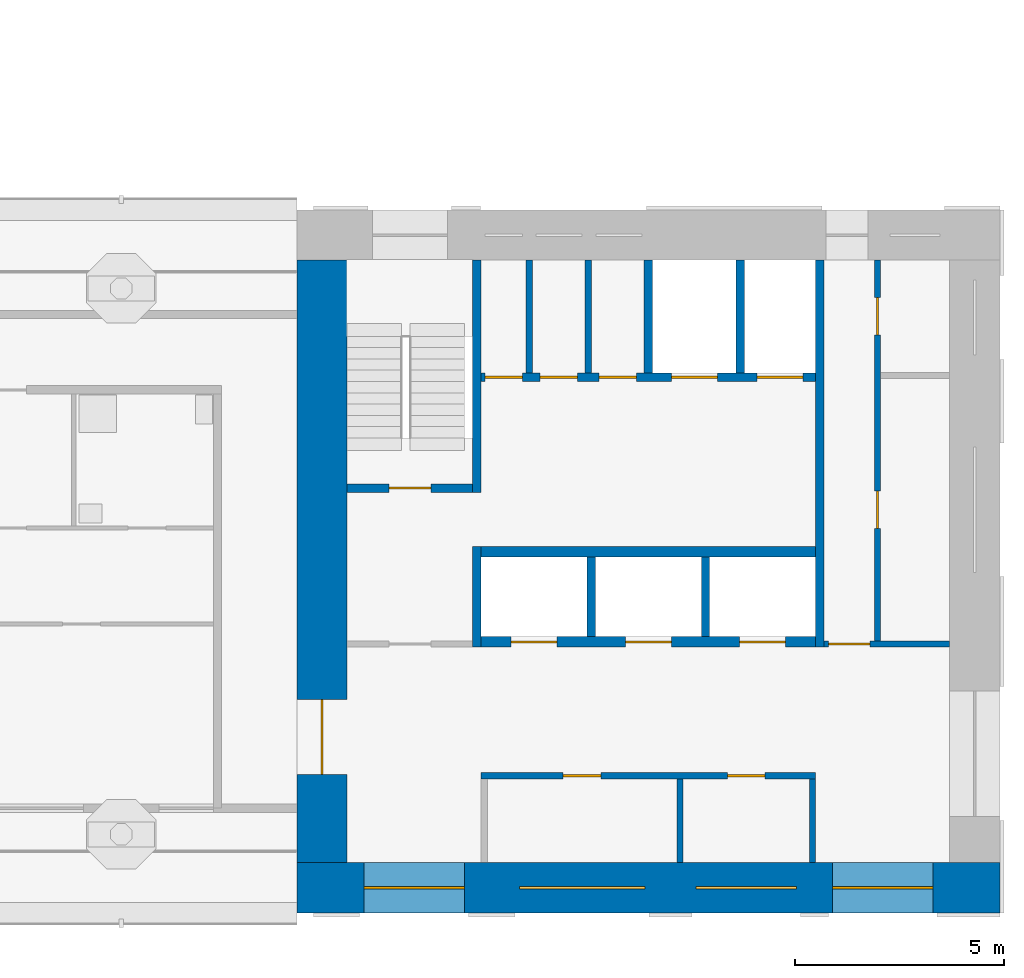
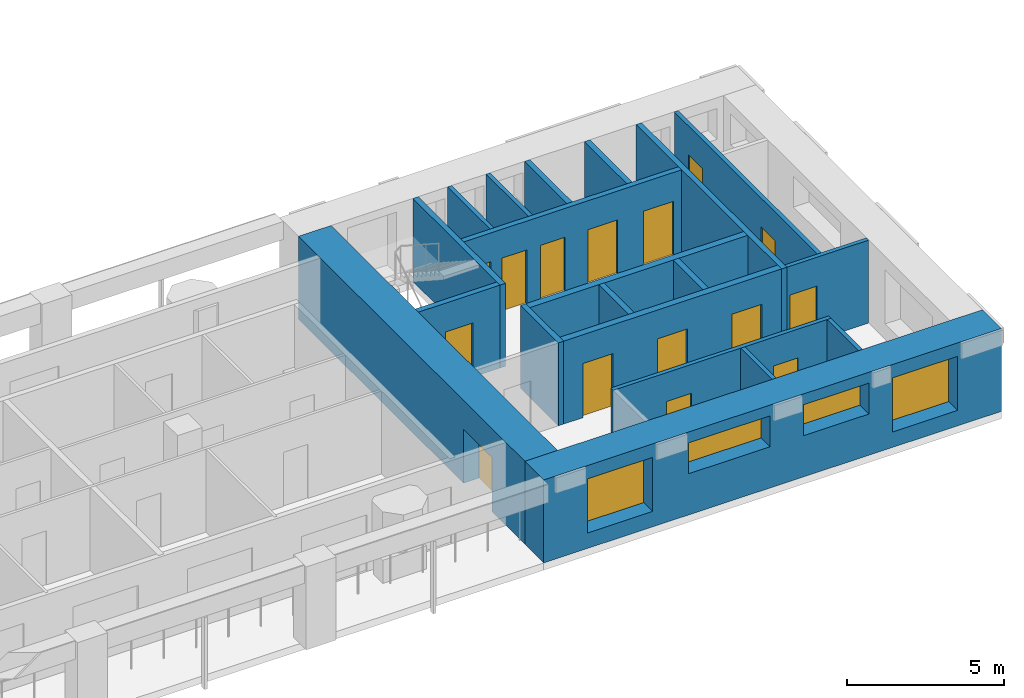
# One storey, part 4 of 12: 20 walls, 15 doors, 4 windows, 19 openings.
"""IFC4 building model written with IfcOpenShell, lengths in metres."""

from ifc_helpers import new_model, si_unit, direction, frame, frame_2d, origin, place, context, subcontext, project, spatial, rectangle, extrude, material, layer, layer_set, type_object, element, fill, save


model = new_model("IFC4")

# Units and contexts
model_context = context("Model", 3, precision=1e-05, world=origin(), true_north=direction((0.0, 1.0)))
body_context = subcontext(model_context, "Body", "Model", "MODEL_VIEW")
ifc_project = project(units=[si_unit("LENGTHUNIT", "METRE"), si_unit("AREAUNIT", "SQUARE_METRE"), si_unit("VOLUMEUNIT", "CUBIC_METRE"), si_unit("PLANEANGLEUNIT", "RADIAN"), si_unit("MASSUNIT", "GRAM", prefix="KILO")], contexts=[model_context])

# Site, building, storey
site_placement = place(None, origin())
site = spatial("IfcSite", under=ifc_project, at=site_placement, CompositionType="ELEMENT")
building_placement = place(site_placement, origin())
building = spatial("IfcBuilding", under=site, at=building_placement, Name="Vermilion Gate Residences", CompositionType="ELEMENT")
storey_placement = place(building_placement, frame((0.0, 0.0, 214.199951171875)))
storey = spatial("IfcBuildingStorey", under=building, at=storey_placement, Name="L55", CompositionType="ELEMENT", Elevation=214.199951171875)

# Walls
ifc_material_1 = material(Name="Masonry blockwork", Category="masonry")
ifc_layer_1 = layer(ifc_material_1, 0.14990234375)
ifc_layer_set_1 = layer_set([ifc_layer_1], Name="BLOCKWORK PARTITION 150 EI 120")
wall_type_1 = type_object("IfcWallType", Name="BLOCKWORK PARTITION 150 EI 120", PredefinedType="PARTITIONING", material=ifc_layer_set_1)
for number, where, z_axis, x_axis, name in (
    (1, (54.324951171875, 9.60009765625, 0.0), (0.0, 0.0, 1.0), (0.0, 1.0, 0.0), "Core room partition A55-RW-E"),
    (2, (51.155029296875, 9.60009765625, 0.0), (0.0, 0.0, 1.0), (0.0, 1.0, 0.0), "Core room partition A55-SR-P0"),
):
    element("IfcWall", number, at=place(storey_placement, frame(where, z_axis=z_axis, x_axis=x_axis)), inside=storey, type_object=wall_type_1, Name=name, PredefinedType="PARTITIONING", context=body_context, shape_type="SweptSolid", body=[
        extrude(rectangle(XDim=2.0, YDim=0.14990234375, at=frame_2d((1.0, 0.0))), origin(), (0.0, 0.0, 1.0), 3.219970703125),
    ])

# Wall, openings, doors
wall_1_placement = place(storey_placement, frame((46.39990234375, 11.675048828125, 0.0), z_axis=(0.0, 0.0, 1.0), x_axis=(1.0, 0.0, 0.0)))
wall_1 = element("IfcWall", 3, at=wall_1_placement, inside=storey, type_object=wall_type_1, Name="Core room partition A55-LR-F", PredefinedType="PARTITIONING", context=body_context, shape_type="SweptSolid", body=[
    extrude(rectangle(XDim=8.0, YDim=0.14990234375, at=frame_2d((4.0, 0.0))), origin(), (0.0, 0.0, 1.0), 3.219970703125),
])
opening_1_placement = place(wall_1_placement, frame((1.965087890625, 0.0, 0.0)))
opening_1 = element("IfcOpeningElement", 4, at=opening_1_placement, cuts=wall_1, Name="Opening DK55002", PredefinedType="OPENING", context=body_context, shape_type="SweptSolid", body=[
    extrude(rectangle(XDim=0.89990234375, YDim=2.10009765625, at=frame_2d((0.449951171875, 1.050048828125))), frame((0.0, 0.0849609375, 0.0), z_axis=(0.0, -1.0, 0.0), x_axis=(1.0, 0.0, 0.0)), (0.0, 0.0, 1.0), 0.169921875),
])
opening_2_placement = place(wall_1_placement, frame((5.889892578125, 0.0, 0.0)))
opening_2 = element("IfcOpeningElement", 5, at=opening_2_placement, cuts=wall_1, Name="Opening DK55003", PredefinedType="OPENING", context=body_context, shape_type="SweptSolid", body=[
    extrude(rectangle(XDim=0.89990234375, YDim=2.10009765625, at=frame_2d((0.449951171875, 1.050048828125))), frame((0.0, 0.0849609375, 0.0), z_axis=(0.0, -1.0, 0.0), x_axis=(1.0, 0.0, 0.0)), (0.0, 0.0, 1.0), 0.169921875),
])
ifc_material_2 = material(Name="Steel", Category="steel")
door_type_1 = type_object("IfcDoorType", Name="SERVICE ROOM DOOR FD60 900 X 2100", OperationType="SINGLE_SWING_LEFT", PredefinedType="DOOR", material=ifc_material_2)
door_1_placement = place(opening_1_placement, frame((0.89990234375, 0.0, 0.0), z_axis=(0.0, 0.0, 1.0), x_axis=(-1.0, 0.0, 0.0)))
door_1 = element("IfcDoor", 6, at=door_1_placement, inside=storey, type_object=door_type_1, Name="Housekeeping store A55", OperationType="SINGLE_SWING_RIGHT", OverallHeight=2.10009765625, OverallWidth=0.89990234375, PredefinedType="DOOR", context=body_context, shape_type="SweptSolid", body=[
    extrude(rectangle(XDim=0.89990234375, YDim=2.10009765625, at=frame_2d((0.449951171875, 1.050048828125))), frame((0.0, 0.02490234375, 0.0), z_axis=(0.0, -1.0, 0.0), x_axis=(1.0, 0.0, 0.0)), (0.0, 0.0, 1.0), 0.050048828125),
])
fill(opening_1, door_1)
door_2_placement = place(opening_2_placement, frame((0.89990234375, 0.0, 0.0), z_axis=(0.0, 0.0, 1.0), x_axis=(-1.0, 0.0, 0.0)))
door_2 = element("IfcDoor", 7, at=door_2_placement, inside=storey, type_object=door_type_1, Name="Fire equipment store A55", OperationType="SINGLE_SWING_RIGHT", OverallHeight=2.10009765625, OverallWidth=0.89990234375, PredefinedType="DOOR", context=body_context, shape_type="SweptSolid", body=[
    extrude(rectangle(XDim=0.89990234375, YDim=2.10009765625, at=frame_2d((0.449951171875, 1.050048828125))), frame((0.0, 0.02490234375, 0.0), z_axis=(0.0, -1.0, 0.0), x_axis=(1.0, 0.0, 0.0)), (0.0, 0.0, 1.0), 0.050048828125),
])
fill(opening_2, door_2)

# Walls
for number, where, z_axis, x_axis, name in (
    (8, (47.554931640625, 21.300048828125, 0.0), (0.0, 0.0, 1.0), (0.0, 1.0, 0.0), "Core room partition A55-NR-P0"),
    (9, (48.965087890625, 21.300048828125, 0.0), (0.0, 0.0, 1.0), (0.0, 1.0, 0.0), "Core room partition A55-NR-P1"),
):
    element("IfcWall", number, at=place(storey_placement, frame(where, z_axis=z_axis, x_axis=x_axis)), inside=storey, type_object=wall_type_1, Name=name, PredefinedType="PARTITIONING", context=body_context, shape_type="SweptSolid", body=[
        extrude(rectangle(XDim=2.699951171875, YDim=0.14990234375, at=frame_2d((1.35009765625, 0.0))), origin(), (0.0, 0.0, 1.0), 3.219970703125),
    ])

# Wall, opening, door
wall_2_placement = place(storey_placement, frame((54.60009765625, 14.824951171875, 0.0), z_axis=(0.0, 0.0, 1.0), x_axis=(1.0, 0.0, 0.0)))
wall_2 = element("IfcWall", 10, at=wall_2_placement, inside=storey, type_object=wall_type_1, Name="Core room partition A55-ES-S", PredefinedType="PARTITIONING", context=body_context, shape_type="SweptSolid", body=[
    extrude(rectangle(XDim=3.0, YDim=0.14990234375, at=frame_2d((1.5, 0.0))), origin(), (0.0, 0.0, 1.0), 3.219970703125),
])
opening_3_placement = place(wall_2_placement, frame((0.10009765625, 0.0, 0.0)))
opening_3 = element("IfcOpeningElement", 11, at=opening_3_placement, cuts=wall_2, Name="Opening DK55014", PredefinedType="OPENING", context=body_context, shape_type="SweptSolid", body=[
    extrude(rectangle(XDim=1.0, YDim=2.10009765625, at=frame_2d((0.5, 1.050048828125))), frame((0.0, 0.0849609375, 0.0), z_axis=(0.0, -1.0, 0.0), x_axis=(1.0, 0.0, 0.0)), (0.0, 0.0, 1.0), 0.169921875),
])
ifc_material_3 = material(Name="Steel", Category="steel")
door_type_2 = type_object("IfcDoorType", Name="FIRE DOOR FD60 1000 X 2100", OperationType="SINGLE_SWING_LEFT", PredefinedType="DOOR", material=ifc_material_3)
door_3_placement = place(opening_3_placement, frame((1.0, 0.0, 0.0), z_axis=(0.0, 0.0, 1.0), x_axis=(-1.0, 0.0, 0.0)))
door_3 = element("IfcDoor", 12, at=door_3_placement, inside=storey, type_object=door_type_2, Name="Service corridor door A55", OperationType="SINGLE_SWING_LEFT", OverallHeight=2.10009765625, OverallWidth=1.0, PredefinedType="DOOR", context=body_context, shape_type="SweptSolid", body=[
    extrude(rectangle(XDim=1.0, YDim=2.10009765625, at=frame_2d((0.5, 1.050048828125))), frame((0.0, 0.02490234375, 0.0), z_axis=(0.0, -1.0, 0.0), x_axis=(1.0, 0.0, 0.0)), (0.0, 0.0, 1.0), 0.050048828125),
])
fill(opening_3, door_3)

# Wall, openings, doors
wall_3_placement = place(storey_placement, frame((55.875, 14.89990234375, 0.0), z_axis=(0.0, 0.0, 1.0), x_axis=(0.0, 1.0, 0.0)))
wall_3 = element("IfcWall", 13, at=wall_3_placement, inside=storey, type_object=wall_type_1, Name="Core room partition A55-ES-W", PredefinedType="PARTITIONING", context=body_context, shape_type="SweptSolid", body=[
    extrude(rectangle(XDim=9.10009765625, YDim=0.14990234375, at=frame_2d((4.550048828125, 0.0))), origin(), (0.0, 0.0, 1.0), 3.219970703125),
])
opening_4_placement = place(wall_3_placement, frame((2.6826171875, 0.0, 0.0)))
opening_4 = element("IfcOpeningElement", 14, at=opening_4_placement, cuts=wall_3, Name="Opening DK55015", PredefinedType="OPENING", context=body_context, shape_type="SweptSolid", body=[
    extrude(rectangle(XDim=0.89990234375, YDim=2.10009765625, at=frame_2d((0.449951171875, 1.050048828125))), frame((0.0, 0.0849609375, 0.0), z_axis=(0.0, -1.0, 0.0), x_axis=(1.0, 0.0, 0.0)), (0.0, 0.0, 1.0), 0.169921875),
])
opening_5_placement = place(wall_3_placement, frame((7.3076171875, 0.0, 0.0)))
opening_5 = element("IfcOpeningElement", 15, at=opening_5_placement, cuts=wall_3, Name="Opening DK55016", PredefinedType="OPENING", context=body_context, shape_type="SweptSolid", body=[
    extrude(rectangle(XDim=0.89990234375, YDim=2.10009765625, at=frame_2d((0.449951171875, 1.050048828125))), frame((0.0, 0.0849609375, 0.0), z_axis=(0.0, -1.0, 0.0), x_axis=(1.0, 0.0, 0.0)), (0.0, 0.0, 1.0), 0.169921875),
])
door_4_placement = place(opening_4_placement, frame((0.89990234375, 0.0, 0.0), z_axis=(0.0, 0.0, 1.0), x_axis=(-1.0, 0.0, 0.0)))
door_4 = element("IfcDoor", 16, at=door_4_placement, inside=storey, type_object=door_type_1, Name="Electrical room A55", OperationType="SINGLE_SWING_LEFT", OverallHeight=2.10009765625, OverallWidth=0.89990234375, PredefinedType="DOOR", context=body_context, shape_type="SweptSolid", body=[
    extrude(rectangle(XDim=0.89990234375, YDim=2.10009765625, at=frame_2d((0.449951171875, 1.050048828125))), frame((0.0, 0.02490234375, 0.0), z_axis=(0.0, -1.0, 0.0), x_axis=(1.0, 0.0, 0.0)), (0.0, 0.0, 1.0), 0.050048828125),
])
fill(opening_4, door_4)
door_5_placement = place(opening_5_placement, frame((0.89990234375, 0.0, 0.0), z_axis=(0.0, 0.0, 1.0), x_axis=(-1.0, 0.0, 0.0)))
door_5 = element("IfcDoor", 17, at=door_5_placement, inside=storey, type_object=door_type_1, Name="Storage room A55", OperationType="SINGLE_SWING_LEFT", OverallHeight=2.10009765625, OverallWidth=0.89990234375, PredefinedType="DOOR", context=body_context, shape_type="SweptSolid", body=[
    extrude(rectangle(XDim=0.89990234375, YDim=2.10009765625, at=frame_2d((0.449951171875, 1.050048828125))), frame((0.0, 0.02490234375, 0.0), z_axis=(0.0, -1.0, 0.0), x_axis=(1.0, 0.0, 0.0)), (0.0, 0.0, 1.0), 0.050048828125),
])
fill(opening_5, door_5)

# Walls
ifc_material_4 = material(Name="Concrete C60", Category="concrete")
ifc_layer_2 = layer(ifc_material_4, 0.199951171875)
ifc_layer_set_2 = layer_set([ifc_layer_2], Name="RC CORE INTERNAL WALL 200 C60")
wall_type_2 = type_object("IfcWallType", Name="RC CORE INTERNAL WALL 200 C60", PredefinedType="SHEAR", material=ifc_layer_set_2)
for number, where, z_axis, x_axis, name in (
    (18, (49.033447265625, 15.0, 0.0), (0.0, 0.0, 1.0), (0.0, 1.0, 0.0), "Core internal wall A55-HR-D1"),
    (19, (51.7666015625, 15.0, 0.0), (0.0, 0.0, 1.0), (0.0, 1.0, 0.0), "Core internal wall A55-HR-D2"),
):
    element("IfcWall", number, at=place(storey_placement, frame(where, z_axis=z_axis, x_axis=x_axis)), inside=storey, type_object=wall_type_2, Name=name, PredefinedType="SHEAR", context=body_context, shape_type="SweptSolid", body=[
        extrude(rectangle(XDim=1.89990234375, YDim=0.199951171875, at=frame_2d((0.949951171875, 0.0))), origin(), (0.0, 0.0, 1.0), 3.219970703125),
    ])
for number, where, z_axis, x_axis, name in (
    (20, (50.39990234375, 21.300048828125, 0.0), (0.0, 0.0, 1.0), (0.0, 1.0, 0.0), "Core internal wall A55-FF-D0"),
    (21, (52.60009765625, 21.300048828125, 0.0), (0.0, 0.0, 1.0), (0.0, 1.0, 0.0), "Core internal wall A55-FF-D1"),
):
    element("IfcWall", number, at=place(storey_placement, frame(where, z_axis=z_axis, x_axis=x_axis)), inside=storey, type_object=wall_type_2, Name=name, PredefinedType="SHEAR", context=body_context, shape_type="SweptSolid", body=[
        extrude(rectangle(XDim=2.699951171875, YDim=0.199951171875, at=frame_2d((1.35009765625, 0.0))), origin(), (0.0, 0.0, 1.0), 3.219970703125),
    ])

# Wall, openings, doors
wall_4_placement = place(storey_placement, frame((46.39990234375, 21.199951171875, 0.0), z_axis=(0.0, 0.0, 1.0), x_axis=(1.0, 0.0, 0.0)))
wall_4 = element("IfcWall", 22, at=wall_4_placement, inside=storey, type_object=wall_type_2, Name="Core internal wall A55-FF-F", PredefinedType="SHEAR", context=body_context, shape_type="SweptSolid", body=[
    extrude(rectangle(XDim=8.0, YDim=0.199951171875, at=frame_2d((4.0, 0.0))), origin(), (0.0, 0.0, 1.0), 3.219970703125),
])
opening_6_placement = place(wall_4_placement, frame((0.090087890625, 0.0, 0.0)))
opening_6 = element("IfcOpeningElement", 23, at=opening_6_placement, cuts=wall_4, Name="Opening DK55007", PredefinedType="OPENING", context=body_context, shape_type="SweptSolid", body=[
    extrude(rectangle(XDim=0.89990234375, YDim=2.10009765625, at=frame_2d((0.449951171875, 1.050048828125))), frame((0.0, 0.10986328125, 0.0), z_axis=(0.0, -1.0, 0.0), x_axis=(1.0, 0.0, 0.0)), (0.0, 0.0, 1.0), 0.219970703125),
])
opening_7_placement = place(wall_4_placement, frame((1.409912109375, 0.0, 0.0)))
opening_7 = element("IfcOpeningElement", 24, at=opening_7_placement, cuts=wall_4, Name="Opening DK55008", PredefinedType="OPENING", context=body_context, shape_type="SweptSolid", body=[
    extrude(rectangle(XDim=0.89990234375, YDim=2.10009765625, at=frame_2d((0.449951171875, 1.050048828125))), frame((0.0, 0.10986328125, 0.0), z_axis=(0.0, -1.0, 0.0), x_axis=(1.0, 0.0, 0.0)), (0.0, 0.0, 1.0), 0.219970703125),
])
opening_8_placement = place(wall_4_placement, frame((2.820068359375, 0.0, 0.0)))
opening_8 = element("IfcOpeningElement", 25, at=opening_8_placement, cuts=wall_4, Name="Opening DK55009", PredefinedType="OPENING", context=body_context, shape_type="SweptSolid", body=[
    extrude(rectangle(XDim=0.89990234375, YDim=2.10009765625, at=frame_2d((0.449951171875, 1.050048828125))), frame((0.0, 0.10986328125, 0.0), z_axis=(0.0, -1.0, 0.0), x_axis=(1.0, 0.0, 0.0)), (0.0, 0.0, 1.0), 0.219970703125),
])
opening_9_placement = place(wall_4_placement, frame((4.550048828125, 0.0, 0.0)))
opening_9 = element("IfcOpeningElement", 26, at=opening_9_placement, cuts=wall_4, Name="Opening LD", PredefinedType="OPENING", context=body_context, shape_type="SweptSolid", body=[
    extrude(rectangle(XDim=1.10009765625, YDim=2.10009765625, at=frame_2d((0.550048828125, 1.050048828125))), frame((0.0, 0.10986328125, 0.0), z_axis=(0.0, -1.0, 0.0), x_axis=(1.0, 0.0, 0.0)), (0.0, 0.0, 1.0), 0.219970703125),
])
opening_10_placement = place(wall_4_placement, frame((6.60009765625, 0.0, 0.0)))
opening_10 = element("IfcOpeningElement", 27, at=opening_10_placement, cuts=wall_4, Name="Opening LD", PredefinedType="OPENING", context=body_context, shape_type="SweptSolid", body=[
    extrude(rectangle(XDim=1.10009765625, YDim=2.10009765625, at=frame_2d((0.550048828125, 1.050048828125))), frame((0.0, 0.10986328125, 0.0), z_axis=(0.0, -1.0, 0.0), x_axis=(1.0, 0.0, 0.0)), (0.0, 0.0, 1.0), 0.219970703125),
])
ifc_material_5 = material(Name="Stainless steel", Category="steel")
door_type_3 = type_object("IfcDoorType", Name="LIFT LANDING DOOR E60 1100 X 2100", OperationType="DOUBLE_DOOR_SLIDING", PredefinedType="DOOR", material=ifc_material_5)
door_6_placement = place(opening_9_placement, origin())
door_6 = element("IfcDoor", 28, at=door_6_placement, inside=storey, type_object=door_type_3, Name="Lift landing door LFA1", OperationType="DOUBLE_DOOR_SLIDING", OverallHeight=2.10009765625, OverallWidth=1.10009765625, PredefinedType="DOOR", context=body_context, shape_type="SweptSolid", body=[
    extrude(rectangle(XDim=1.10009765625, YDim=2.10009765625, at=frame_2d((0.550048828125, 1.050048828125))), frame((0.0, 0.02490234375, 0.0), z_axis=(0.0, -1.0, 0.0), x_axis=(1.0, 0.0, 0.0)), (0.0, 0.0, 1.0), 0.050048828125),
])
fill(opening_9, door_6)
door_7_placement = place(opening_10_placement, origin())
door_7 = element("IfcDoor", 29, at=door_7_placement, inside=storey, type_object=door_type_3, Name="Lift landing door LCA1", OperationType="DOUBLE_DOOR_SLIDING", OverallHeight=2.10009765625, OverallWidth=1.10009765625, PredefinedType="DOOR", context=body_context, shape_type="SweptSolid", body=[
    extrude(rectangle(XDim=1.10009765625, YDim=2.10009765625, at=frame_2d((0.550048828125, 1.050048828125))), frame((0.0, 0.02490234375, 0.0), z_axis=(0.0, -1.0, 0.0), x_axis=(1.0, 0.0, 0.0)), (0.0, 0.0, 1.0), 0.050048828125),
])
fill(opening_10, door_7)
door_8_placement = place(opening_6_placement, origin())
door_8 = element("IfcDoor", 30, at=door_8_placement, inside=storey, type_object=door_type_1, Name="Parcel room A55", OperationType="SINGLE_SWING_RIGHT", OverallHeight=2.10009765625, OverallWidth=0.89990234375, PredefinedType="DOOR", context=body_context, shape_type="SweptSolid", body=[
    extrude(rectangle(XDim=0.89990234375, YDim=2.10009765625, at=frame_2d((0.449951171875, 1.050048828125))), frame((0.0, 0.02490234375, 0.0), z_axis=(0.0, -1.0, 0.0), x_axis=(1.0, 0.0, 0.0)), (0.0, 0.0, 1.0), 0.050048828125),
])
fill(opening_6, door_8)
door_9_placement = place(opening_7_placement, frame((0.89990234375, 0.0, 0.0), z_axis=(0.0, 0.0, 1.0), x_axis=(-1.0, 0.0, 0.0)))
door_9 = element("IfcDoor", 31, at=door_9_placement, inside=storey, type_object=door_type_1, Name="Electrical room A55", OperationType="SINGLE_SWING_RIGHT", OverallHeight=2.10009765625, OverallWidth=0.89990234375, PredefinedType="DOOR", context=body_context, shape_type="SweptSolid", body=[
    extrude(rectangle(XDim=0.89990234375, YDim=2.10009765625, at=frame_2d((0.449951171875, 1.050048828125))), frame((0.0, 0.02490234375, 0.0), z_axis=(0.0, -1.0, 0.0), x_axis=(1.0, 0.0, 0.0)), (0.0, 0.0, 1.0), 0.050048828125),
])
fill(opening_7, door_9)
door_10_placement = place(opening_8_placement, origin())
door_10 = element("IfcDoor", 32, at=door_10_placement, inside=storey, type_object=door_type_1, Name="Housekeeping store A55", OperationType="SINGLE_SWING_LEFT", OverallHeight=2.10009765625, OverallWidth=0.89990234375, PredefinedType="DOOR", context=body_context, shape_type="SweptSolid", body=[
    extrude(rectangle(XDim=0.89990234375, YDim=2.10009765625, at=frame_2d((0.449951171875, 1.050048828125))), frame((0.0, 0.02490234375, 0.0), z_axis=(0.0, -1.0, 0.0), x_axis=(1.0, 0.0, 0.0)), (0.0, 0.0, 1.0), 0.050048828125),
])
fill(opening_8, door_10)

# Walls
wall_5_placement = place(storey_placement, frame((46.300048828125, 14.75, 0.0), z_axis=(0.0, 0.0, 1.0), x_axis=(0.0, 1.0, 0.0)))
element("IfcWall", 33, at=wall_5_placement, inside=storey, type_object=wall_type_2, Name="Core internal wall A55-WDIV1", PredefinedType="SHEAR", context=body_context, shape_type="SweptSolid", body=[
    extrude(rectangle(XDim=2.39990234375, YDim=0.199951171875, at=frame_2d((1.199951171875, 0.0))), origin(), (0.0, 0.0, 1.0), 3.219970703125),
])
wall_6_placement = place(storey_placement, frame((46.300048828125, 18.449951171875, 0.0), z_axis=(0.0, 0.0, 1.0), x_axis=(0.0, 1.0, 0.0)))
element("IfcWall", 34, at=wall_6_placement, inside=storey, type_object=wall_type_2, Name="Core internal wall A55-WDIV2", PredefinedType="SHEAR", context=body_context, shape_type="SweptSolid", body=[
    extrude(rectangle(XDim=5.550048828125, YDim=0.199951171875, at=frame_2d((2.77490234375, 0.0))), origin(), (0.0, 0.0, 1.0), 3.219970703125),
])

# Wall, opening, door
wall_7_placement = place(storey_placement, frame((43.199951171875, 18.550048828125, 0.0), z_axis=(0.0, 0.0, 1.0), x_axis=(1.0, 0.0, 0.0)))
wall_7 = element("IfcWall", 35, at=wall_7_placement, inside=storey, type_object=wall_type_2, Name="Core internal wall A55-STW-S", PredefinedType="SHEAR", context=body_context, shape_type="SweptSolid", body=[
    extrude(rectangle(XDim=3.0, YDim=0.199951171875, at=frame_2d((1.5, 0.0))), origin(), (0.0, 0.0, 1.0), 3.219970703125),
])
opening_11_placement = place(wall_7_placement, frame((1.0, 0.0, 0.0)))
opening_11 = element("IfcOpeningElement", 36, at=opening_11_placement, cuts=wall_7, Name="Opening DK55013", PredefinedType="OPENING", context=body_context, shape_type="SweptSolid", body=[
    extrude(rectangle(XDim=1.0, YDim=2.10009765625, at=frame_2d((0.5, 1.050048828125))), frame((0.0, 0.10986328125, 0.0), z_axis=(0.0, -1.0, 0.0), x_axis=(1.0, 0.0, 0.0)), (0.0, 0.0, 1.0), 0.219970703125),
])
door_11_placement = place(opening_11_placement, origin())
door_11 = element("IfcDoor", 37, at=door_11_placement, inside=storey, type_object=door_type_2, Name="Stair door A55", OperationType="SINGLE_SWING_LEFT", OverallHeight=2.10009765625, OverallWidth=1.0, PredefinedType="DOOR", context=body_context, shape_type="SweptSolid", body=[
    extrude(rectangle(XDim=1.0, YDim=2.10009765625, at=frame_2d((0.5, 1.050048828125))), frame((0.0, 0.02490234375, 0.0), z_axis=(0.0, -1.0, 0.0), x_axis=(1.0, 0.0, 0.0)), (0.0, 0.0, 1.0), 0.050048828125),
])
fill(opening_11, door_11)

# Wall
wall_8_placement = place(storey_placement, frame((54.5, 14.75, 0.0), z_axis=(0.0, 0.0, 1.0), x_axis=(0.0, 1.0, 0.0)))
element("IfcWall", 38, at=wall_8_placement, inside=storey, type_object=wall_type_2, Name="Core internal wall A55-EDIV", PredefinedType="SHEAR", context=body_context, shape_type="SweptSolid", body=[
    extrude(rectangle(XDim=9.25, YDim=0.199951171875, at=frame_2d((4.625, 0.0))), origin(), (0.0, 0.0, 1.0), 3.219970703125),
])

# Wall, opening, door
ifc_material_6 = material(Name="Concrete C50", Category="concrete")
ifc_layer_3 = layer(ifc_material_6, 1.199951171875)
ifc_layer_set_3 = layer_set([ifc_layer_3], Name="RC CORE WALL 1200 C50")
wall_type_3 = type_object("IfcWallType", Name="RC CORE WALL 1200 C50", PredefinedType="SHEAR", material=ifc_layer_set_3)
wall_9_placement = place(storey_placement, frame((42.60009765625, 9.60009765625, 0.0), z_axis=(0.0, 0.0, 1.0), x_axis=(0.0, 1.0, 0.0)))
wall_9 = element("IfcWall", 39, at=wall_9_placement, inside=storey, type_object=wall_type_3, Name="Core wall A55-OUT-FR", PredefinedType="SHEAR", context=body_context, shape_type="SweptSolid", body=[
    extrude(rectangle(XDim=14.39990234375, YDim=1.199951171875, at=frame_2d((7.199951171875, 0.0))), origin(), (0.0, 0.0, 1.0), 3.219970703125),
])
opening_12_placement = place(wall_9_placement, frame((2.10009765625, 0.0, 0.0)))
opening_12 = element("IfcOpeningElement", 40, at=opening_12_placement, cuts=wall_9, Name="Opening DK55001", PredefinedType="OPENING", context=body_context, shape_type="SweptSolid", body=[
    extrude(rectangle(XDim=1.800048828125, YDim=2.10009765625, at=frame_2d((0.89990234375, 1.050048828125))), frame((0.0, 0.60986328125, 0.0), z_axis=(0.0, -1.0, 0.0), x_axis=(1.0, 0.0, 0.0)), (0.0, 0.0, 1.0), 1.219970703125),
])
ifc_material_7 = material(Name="Steel", Category="steel")
door_type_4 = type_object("IfcDoorType", Name="CORE LOBBY DOOR FD60 1800 X 2100", OperationType="DOUBLE_DOOR_SINGLE_SWING", PredefinedType="DOOR", material=ifc_material_7)
door_12_placement = place(opening_12_placement, frame((1.800048828125, 0.0, 0.0), z_axis=(0.0, 0.0, 1.0), x_axis=(-1.0, 0.0, 0.0)))
door_12 = element("IfcDoor", 41, at=door_12_placement, inside=storey, type_object=door_type_4, Name="Core lobby door A55", OperationType="DOUBLE_DOOR_SINGLE_SWING", OverallHeight=2.10009765625, OverallWidth=1.800048828125, PredefinedType="DOOR", context=body_context, shape_type="SweptSolid", body=[
    extrude(rectangle(XDim=1.800048828125, YDim=2.10009765625, at=frame_2d((0.89990234375, 1.050048828125))), frame((0.0, 0.02490234375, 0.0), z_axis=(0.0, -1.0, 0.0), x_axis=(1.0, 0.0, 0.0)), (0.0, 0.0, 1.0), 0.050048828125),
])
fill(opening_12, door_12)

# Wall, openings, windows
ifc_material_8 = material(Name="Concrete C50 red-oxide pigmented", Category="concrete")
ifc_layer_4 = layer(ifc_material_8, 1.199951171875)
ifc_layer_set_4 = layer_set([ifc_layer_4], Name="RC CORE WALL 1200 C50 RED OXIDE")
wall_type_4 = type_object("IfcWallType", Name="RC CORE WALL 1200 C50 RED OXIDE", PredefinedType="SHEAR", material=ifc_layer_set_4)
wall_10_placement = place(storey_placement, frame((42.0, 9.0, 0.0), z_axis=(0.0, 0.0, 1.0), x_axis=(1.0, 0.0, 0.0)))
wall_10 = element("IfcWall", 42, at=wall_10_placement, inside=storey, type_object=wall_type_4, Name="Core wall A55-OUT-B0", PredefinedType="SHEAR", context=body_context, shape_type="SweptSolid", body=[
    extrude(rectangle(XDim=16.800048828125, YDim=1.199951171875, at=frame_2d((8.39990234375, 0.0))), origin(), (0.0, 0.0, 1.0), 3.219970703125),
])
opening_13_placement = place(wall_10_placement, frame((1.60009765625, 0.0, 0.60009765625)))
opening_13 = element("IfcOpeningElement", 43, at=opening_13_placement, cuts=wall_10, Name="Opening WKA5501", PredefinedType="OPENING", context=body_context, shape_type="SweptSolid", body=[
    extrude(rectangle(XDim=2.39990234375, YDim=2.10009765625, at=frame_2d((1.199951171875, 1.050048828125))), frame((0.0, 0.60986328125, 0.0), z_axis=(0.0, -1.0, 0.0), x_axis=(1.0, 0.0, 0.0)), (0.0, 0.0, 1.0), 1.219970703125),
])
opening_14_placement = place(wall_10_placement, frame((5.31494140625, 0.0, 1.60009765625)))
opening_14 = element("IfcOpeningElement", 44, at=opening_14_placement, cuts=wall_10, Name="Opening WKA5502", PredefinedType="OPENING", context=body_context, shape_type="SweptSolid", body=[
    extrude(rectangle(XDim=3.0, YDim=1.199951171875, at=frame_2d((1.5, 0.60009765625))), frame((0.0, 0.60986328125, 0.0), z_axis=(0.0, -1.0, 0.0), x_axis=(1.0, 0.0, 0.0)), (0.0, 0.0, 1.0), 1.219970703125),
])
opening_15_placement = place(wall_10_placement, frame((9.5400390625, 0.0, 1.60009765625)))
opening_15 = element("IfcOpeningElement", 45, at=opening_15_placement, cuts=wall_10, Name="Opening WKA5503", PredefinedType="OPENING", context=body_context, shape_type="SweptSolid", body=[
    extrude(rectangle(XDim=2.39990234375, YDim=1.199951171875, at=frame_2d((1.199951171875, 0.60009765625))), frame((0.0, 0.60986328125, 0.0), z_axis=(0.0, -1.0, 0.0), x_axis=(1.0, 0.0, 0.0)), (0.0, 0.0, 1.0), 1.219970703125),
])
opening_16_placement = place(wall_10_placement, frame((12.800048828125, 0.0, 0.60009765625)))
opening_16 = element("IfcOpeningElement", 46, at=opening_16_placement, cuts=wall_10, Name="Opening WKA5504", PredefinedType="OPENING", context=body_context, shape_type="SweptSolid", body=[
    extrude(rectangle(XDim=2.39990234375, YDim=2.10009765625, at=frame_2d((1.199951171875, 1.050048828125))), frame((0.0, 0.60986328125, 0.0), z_axis=(0.0, -1.0, 0.0), x_axis=(1.0, 0.0, 0.0)), (0.0, 0.0, 1.0), 1.219970703125),
])
ifc_material_9 = material(Name="Aluminium and clear glass", Category="aluminium")
window_type_1 = type_object("IfcWindowType", Name="CORE LOBBY WINDOW 2400 X 2100", PartitioningType="SINGLE_PANEL", PredefinedType="WINDOW", material=ifc_material_9)
window_1_placement = place(opening_13_placement, origin())
window_1 = element("IfcWindow", 47, at=window_1_placement, inside=storey, type_object=window_type_1, Name="Core lobby window", OverallHeight=2.10009765625, OverallWidth=2.39990234375, PartitioningType="SINGLE_PANEL", PredefinedType="WINDOW", context=body_context, shape_type="SweptSolid", body=[
    extrude(rectangle(XDim=2.39990234375, YDim=2.10009765625, at=frame_2d((1.199951171875, 1.050048828125))), frame((0.0, 0.030029296875, 0.0), z_axis=(0.0, -1.0, 0.0), x_axis=(1.0, 0.0, 0.0)), (0.0, 0.0, 1.0), 0.06005859375),
])
fill(opening_13, window_1)
window_2_placement = place(opening_16_placement, origin())
window_2 = element("IfcWindow", 48, at=window_2_placement, inside=storey, type_object=window_type_1, Name="Core lobby window", OverallHeight=2.10009765625, OverallWidth=2.39990234375, PartitioningType="SINGLE_PANEL", PredefinedType="WINDOW", context=body_context, shape_type="SweptSolid", body=[
    extrude(rectangle(XDim=2.39990234375, YDim=2.10009765625, at=frame_2d((1.199951171875, 1.050048828125))), frame((0.0, 0.030029296875, 0.0), z_axis=(0.0, -1.0, 0.0), x_axis=(1.0, 0.0, 0.0)), (0.0, 0.0, 1.0), 0.06005859375),
])
fill(opening_16, window_2)
ifc_material_10 = material(Name="Aluminium frame with louvre blades", Category="aluminium")
window_type_2 = type_object("IfcWindowType", Name="CORE LOUVRE 2400 X 1200", PartitioningType="SINGLE_PANEL", PredefinedType="WINDOW", material=ifc_material_10)
window_3_placement = place(opening_15_placement, origin())
window_3 = element("IfcWindow", 49, at=window_3_placement, inside=storey, type_object=window_type_2, Name="Core louvre", OverallHeight=1.199951171875, OverallWidth=2.39990234375, PartitioningType="SINGLE_PANEL", PredefinedType="WINDOW", context=body_context, shape_type="SweptSolid", body=[
    extrude(rectangle(XDim=2.39990234375, YDim=1.199951171875, at=frame_2d((1.199951171875, 0.60009765625))), frame((0.0, 0.030029296875, 0.0), z_axis=(0.0, -1.0, 0.0), x_axis=(1.0, 0.0, 0.0)), (0.0, 0.0, 1.0), 0.06005859375),
])
fill(opening_15, window_3)
ifc_material_11 = material(Name="Aluminium frame with louvre blades", Category="aluminium")
window_type_3 = type_object("IfcWindowType", Name="CORE LOUVRE 3000 X 1200", PartitioningType="SINGLE_PANEL", PredefinedType="WINDOW", material=ifc_material_11)
window_4_placement = place(opening_14_placement, origin())
window_4 = element("IfcWindow", 50, at=window_4_placement, inside=storey, type_object=window_type_3, Name="Core louvre", OverallHeight=1.199951171875, OverallWidth=3.0, PartitioningType="SINGLE_PANEL", PredefinedType="WINDOW", context=body_context, shape_type="SweptSolid", body=[
    extrude(rectangle(XDim=3.0, YDim=1.199951171875, at=frame_2d((1.5, 0.60009765625))), frame((0.0, 0.030029296875, 0.0), z_axis=(0.0, -1.0, 0.0), x_axis=(1.0, 0.0, 0.0)), (0.0, 0.0, 1.0), 0.06005859375),
])
fill(opening_14, window_4)

# Wall, openings, doors
ifc_material_12 = material(Name="Concrete C60", Category="concrete")
ifc_layer_5 = layer(ifc_material_12, 0.25)
ifc_layer_set_5 = layer_set([ifc_layer_5], Name="RC LIFT SHAFT WALL 250 C60")
wall_type_5 = type_object("IfcWallType", Name="RC LIFT SHAFT WALL 250 C60", PredefinedType="SHEAR", material=ifc_layer_set_5)
wall_11_placement = place(storey_placement, frame((46.39990234375, 14.875, 0.0), z_axis=(0.0, 0.0, 1.0), x_axis=(1.0, 0.0, 0.0)))
wall_11 = element("IfcWall", 51, at=wall_11_placement, inside=storey, type_object=wall_type_5, Name="Lift shaft wall A55-HR-F", PredefinedType="SHEAR", context=body_context, shape_type="SweptSolid", body=[
    extrude(rectangle(XDim=8.0, YDim=0.25, at=frame_2d((4.0, 0.0))), origin(), (0.0, 0.0, 1.0), 3.219970703125),
])
opening_17_placement = place(wall_11_placement, frame((0.716552734375, 0.0, 0.0)))
opening_17 = element("IfcOpeningElement", 52, at=opening_17_placement, cuts=wall_11, Name="Opening LD", PredefinedType="OPENING", context=body_context, shape_type="SweptSolid", body=[
    extrude(rectangle(XDim=1.10009765625, YDim=2.10009765625, at=frame_2d((0.550048828125, 1.050048828125))), frame((0.0, 0.135009765625, 0.0), z_axis=(0.0, -1.0, 0.0), x_axis=(1.0, 0.0, 0.0)), (0.0, 0.0, 1.0), 0.27001953125),
])
opening_18_placement = place(wall_11_placement, frame((3.449951171875, 0.0, 0.0)))
opening_18 = element("IfcOpeningElement", 53, at=opening_18_placement, cuts=wall_11, Name="Opening LD", PredefinedType="OPENING", context=body_context, shape_type="SweptSolid", body=[
    extrude(rectangle(XDim=1.10009765625, YDim=2.10009765625, at=frame_2d((0.550048828125, 1.050048828125))), frame((0.0, 0.135009765625, 0.0), z_axis=(0.0, -1.0, 0.0), x_axis=(1.0, 0.0, 0.0)), (0.0, 0.0, 1.0), 0.27001953125),
])
opening_19_placement = place(wall_11_placement, frame((6.183349609375, 0.0, 0.0)))
opening_19 = element("IfcOpeningElement", 54, at=opening_19_placement, cuts=wall_11, Name="Opening LD", PredefinedType="OPENING", context=body_context, shape_type="SweptSolid", body=[
    extrude(rectangle(XDim=1.10009765625, YDim=2.10009765625, at=frame_2d((0.550048828125, 1.050048828125))), frame((0.0, 0.135009765625, 0.0), z_axis=(0.0, -1.0, 0.0), x_axis=(1.0, 0.0, 0.0)), (0.0, 0.0, 1.0), 0.27001953125),
])
door_13_placement = place(opening_17_placement, origin())
door_13 = element("IfcDoor", 55, at=door_13_placement, inside=storey, type_object=door_type_3, Name="Lift landing door HRA1", OperationType="DOUBLE_DOOR_SLIDING", OverallHeight=2.10009765625, OverallWidth=1.10009765625, PredefinedType="DOOR", context=body_context, shape_type="SweptSolid", body=[
    extrude(rectangle(XDim=1.10009765625, YDim=2.10009765625, at=frame_2d((0.550048828125, 1.050048828125))), frame((0.0, 0.02490234375, 0.0), z_axis=(0.0, -1.0, 0.0), x_axis=(1.0, 0.0, 0.0)), (0.0, 0.0, 1.0), 0.050048828125),
])
fill(opening_17, door_13)
door_14_placement = place(opening_18_placement, origin())
door_14 = element("IfcDoor", 56, at=door_14_placement, inside=storey, type_object=door_type_3, Name="Lift landing door HRA2", OperationType="DOUBLE_DOOR_SLIDING", OverallHeight=2.10009765625, OverallWidth=1.10009765625, PredefinedType="DOOR", context=body_context, shape_type="SweptSolid", body=[
    extrude(rectangle(XDim=1.10009765625, YDim=2.10009765625, at=frame_2d((0.550048828125, 1.050048828125))), frame((0.0, 0.02490234375, 0.0), z_axis=(0.0, -1.0, 0.0), x_axis=(1.0, 0.0, 0.0)), (0.0, 0.0, 1.0), 0.050048828125),
])
fill(opening_18, door_14)
door_15_placement = place(opening_19_placement, origin())
door_15 = element("IfcDoor", 57, at=door_15_placement, inside=storey, type_object=door_type_3, Name="Lift landing door HRA3", OperationType="DOUBLE_DOOR_SLIDING", OverallHeight=2.10009765625, OverallWidth=1.10009765625, PredefinedType="DOOR", context=body_context, shape_type="SweptSolid", body=[
    extrude(rectangle(XDim=1.10009765625, YDim=2.10009765625, at=frame_2d((0.550048828125, 1.050048828125))), frame((0.0, 0.02490234375, 0.0), z_axis=(0.0, -1.0, 0.0), x_axis=(1.0, 0.0, 0.0)), (0.0, 0.0, 1.0), 0.050048828125),
])
fill(opening_19, door_15)

# Wall
wall_12_placement = place(storey_placement, frame((46.39990234375, 17.02490234375, 0.0), z_axis=(0.0, 0.0, 1.0), x_axis=(1.0, 0.0, 0.0)))
element("IfcWall", 58, at=wall_12_placement, inside=storey, type_object=wall_type_5, Name="Lift shaft wall A55-HR-B", PredefinedType="SHEAR", context=body_context, shape_type="SweptSolid", body=[
    extrude(rectangle(XDim=8.0, YDim=0.25, at=frame_2d((4.0, 0.0))), origin(), (0.0, 0.0, 1.0), 3.219970703125),
])

save(model, "model.ifc")
